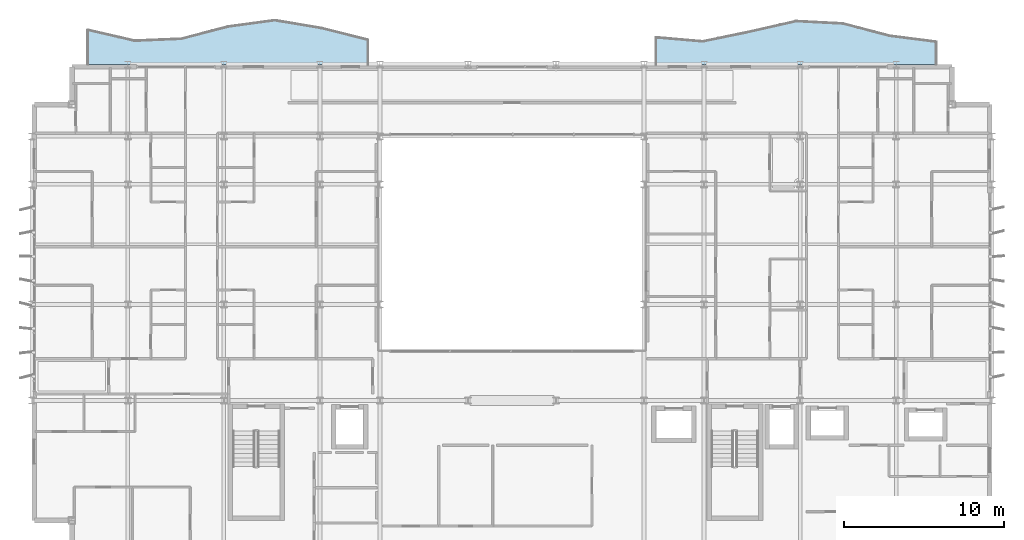
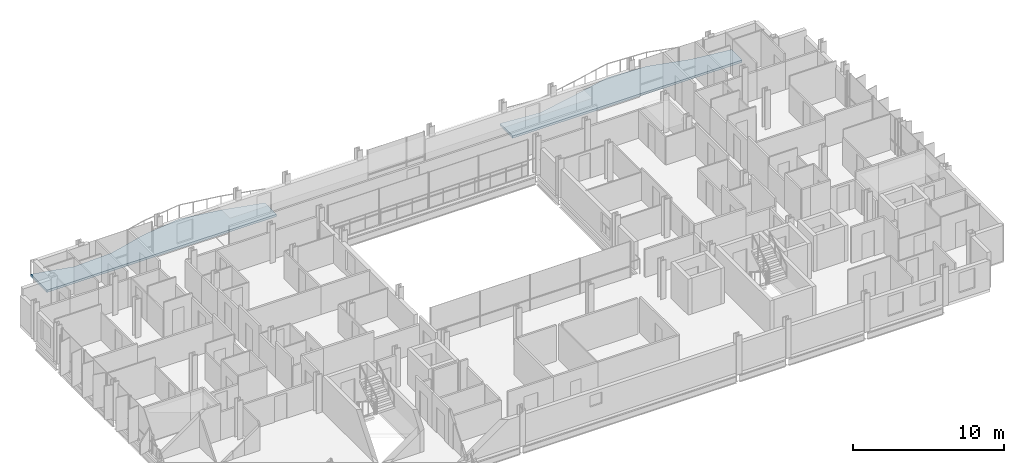
# One storey, part 25 of 39: 2 slabs.
"""IFC4 building model written with IfcOpenShell, lengths in metres."""

from ifc_helpers import new_model, si_unit, direction, frame, origin, place, context, subcontext, project, spatial, polyline, outline, extrude, material, layer, layer_set, type_object, element, save


model = new_model("IFC4")

# Units and contexts
model_context = context("Model", 3, precision=1e-05, world=origin(), true_north=direction((0.0, 1.0)))
body_context = subcontext(model_context, "Body", "Model", "MODEL_VIEW")
ifc_project = project(units=[si_unit("LENGTHUNIT", "METRE"), si_unit("AREAUNIT", "SQUARE_METRE"), si_unit("VOLUMEUNIT", "CUBIC_METRE"), si_unit("PLANEANGLEUNIT", "RADIAN"), si_unit("MASSUNIT", "GRAM", prefix="KILO")], contexts=[model_context])

# Site, building, storey
site_placement = place(None, origin())
site = spatial("IfcSite", under=ifc_project, at=site_placement, CompositionType="ELEMENT")
building_placement = place(site_placement, origin())
building = spatial("IfcBuilding", under=site, at=building_placement, Name="Brevholm Reach", CompositionType="ELEMENT")
storey_placement = place(building_placement, frame((0.0, 0.0, 109.699951171875)))
storey = spatial("IfcBuildingStorey", under=building, at=storey_placement, Name="L32", CompositionType="ELEMENT", Elevation=109.699951171875)

# Slabs
ifc_material = material(Name="Precast Concrete C40/50", Category="concrete")
ifc_layer = layer(ifc_material, 0.179931640625)
ifc_layer_set = layer_set([ifc_layer], Name="Precast Concrete C40/50")
slab_type = type_object("IfcSlabType", Name="SLB-BAL-180", PredefinedType="FLOOR", material=ifc_layer_set)
slab_1_placement = place(storey_placement, frame((0.0, 0.0, -0.179931640625)))
element("IfcSlab", 1, at=slab_1_placement, inside=storey, type_object=slab_type, Name="L32 Rippling External Balcony NE", PredefinedType="FLOOR", context=body_context, shape_type="SweptSolid", body=[
    extrude(outline(polyline([(39.0, 31.0), (56.5, 31.0), (56.5, 32.40380859375), (53.583251953125, 32.779052734375), (50.666748046875, 33.5439453125), (47.75, 33.691650390625), (44.833251953125, 33.02783203125), (41.916748046875, 32.426025390625), (39.0, 32.67822265625), (39.0, 31.0)])), origin(), (0.0, 0.0, 1.0), 0.179931640625),
])
slab_2_placement = place(storey_placement, frame((0.0, 0.0, -0.179931640625)))
element("IfcSlab", 2, at=slab_2_placement, inside=storey, type_object=slab_type, Name="L32 Rippling External Balcony NW", PredefinedType="FLOOR", context=body_context, shape_type="SweptSolid", body=[
    extrude(outline(polyline([(3.5, 31.0), (21.0, 31.0), (21.0, 32.52880859375), (18.083251953125, 33.260986328125), (15.166748046875, 33.748291015625), (12.25, 33.349609375), (9.333251953125, 32.58935546875), (6.416748046875, 32.46826171875), (3.5, 33.1455078125), (3.5, 31.0)])), origin(), (0.0, 0.0, 1.0), 0.179931640625),
])

save(model, "model.ifc")
